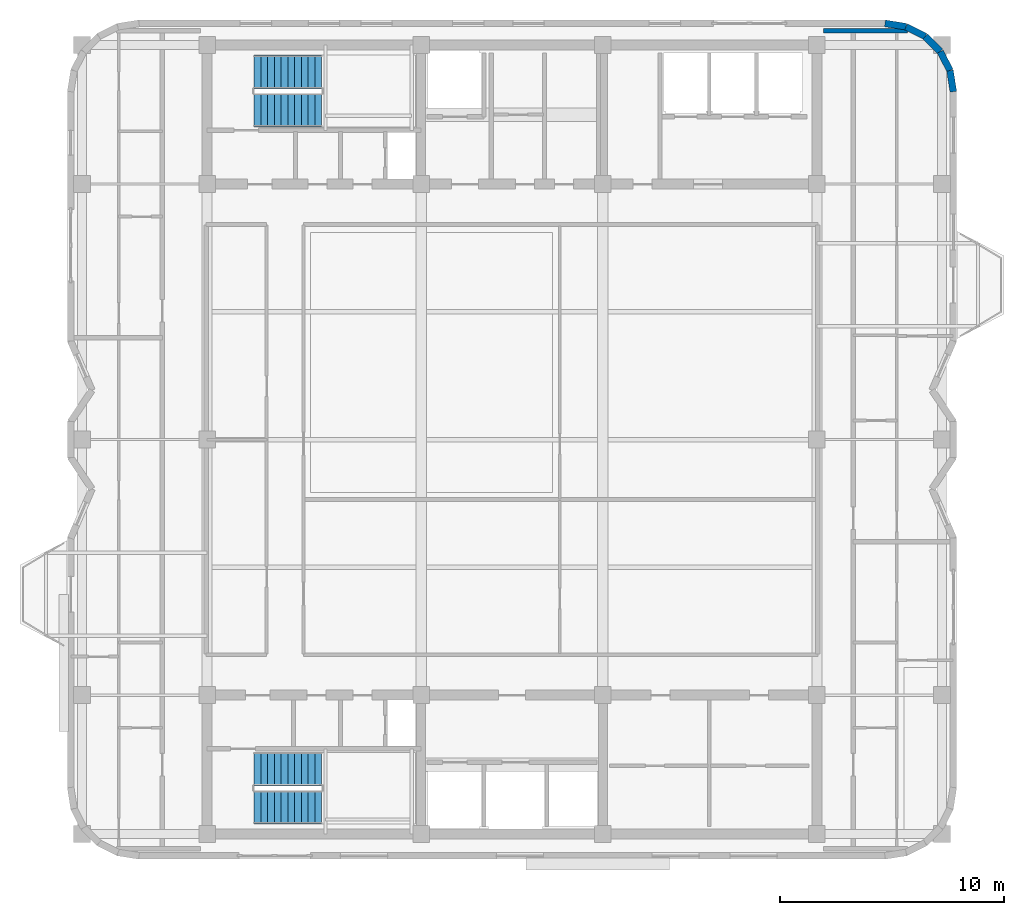
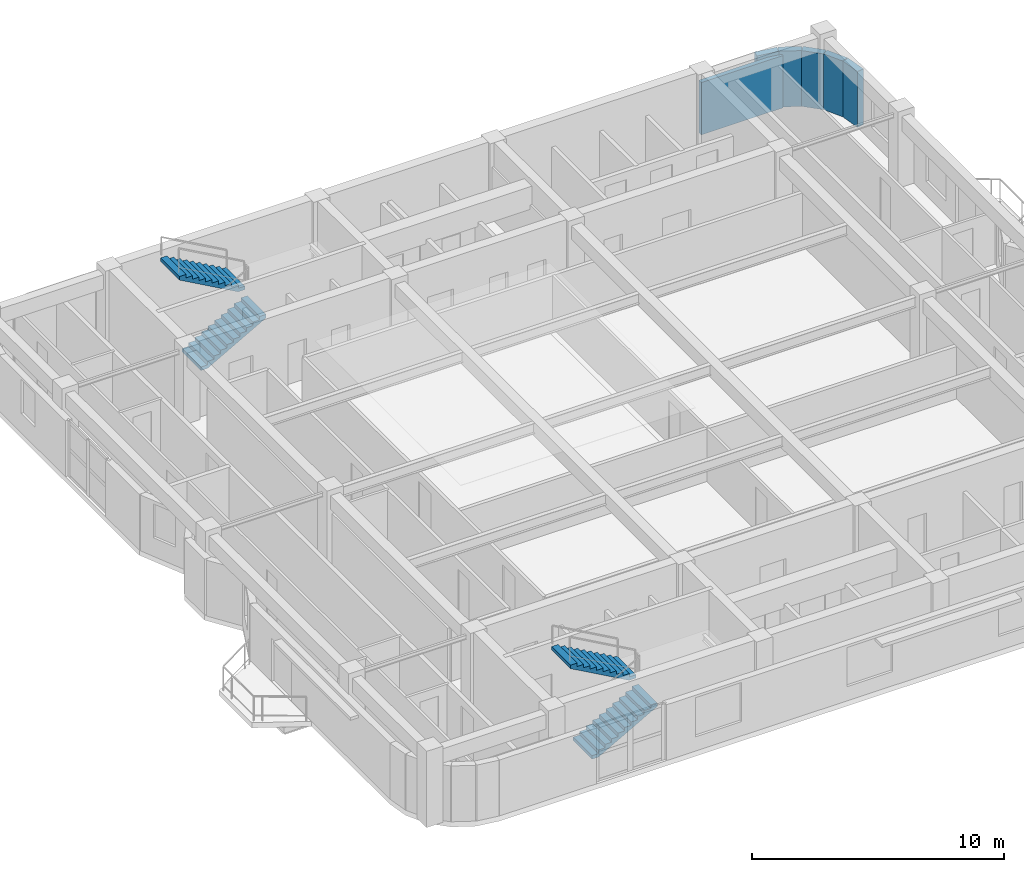
# One storey, part 9 of 11: 6 walls, 4 stair flights, 2 elements without a shape of their own.
"""IFC4 building model written with IfcOpenShell, lengths in metres."""

import ifcopenshell
import ifcopenshell.guid

model = None  # the IFC model being written
_history = None  # IfcOwnerHistory: only IFC2X3 demands one
_inside = {}  # id of a spatial element -> (the spatial element, [elements in it])
_under = {}  # id of a project, library or spatial element -> (it, [spatial elements below it])
_declared = {}  # id of a project -> (the project, [libraries it declares])
_typed = {}  # id of a type object -> (the type object, [elements of that type])
_made_of = {}  # id of a material, layer set ... -> (it, [elements and type objects made of it])


def new_model(schema):
    """Start an empty IFC model of exactly this schema.

    Asked for "IFC4X3", IfcOpenShell would pick the latest addendum, in which some entities
    have other attributes; the version numbers below select the first issue.
    IFC2X3 requires an IfcOwnerHistory on every rooted entity: one is made here for all.
    """
    global model, _history
    if schema == "IFC4X3":
        model = ifcopenshell.file(schema_version=(4, 3, 0, 0))
    else:
        model = ifcopenshell.file(schema=schema)
    _inside.clear()
    _under.clear()
    _declared.clear()
    _typed.clear()
    _made_of.clear()
    _history = None
    if model.schema == "IFC2X3":
        org = make("IfcOrganization", Name="unknown")
        user = make(
            "IfcPersonAndOrganization",
            ThePerson=make("IfcPerson", FamilyName="unknown"),
            TheOrganization=org,
        )
        app = make(
            "IfcApplication",
            ApplicationDeveloper=org,
            Version="unknown",
            ApplicationFullName="unknown",
            ApplicationIdentifier="unknown",
        )
        _history = make(
            "IfcOwnerHistory",
            OwningUser=user,
            OwningApplication=app,
            ChangeAction="ADDED",
            CreationDate=0,
        )
    return model


def make(cls, **values):
    """One entity of the class cls with the attributes given. An attribute that is None is left unset."""
    return model.create_entity(
        cls, **{name: value for name, value in values.items() if value is not None}
    )


def rooted(cls, **values):
    """An entity with a GlobalId (a new one), such as an element, a storey or a relation."""
    return make(cls, GlobalId=ifcopenshell.guid.new(), OwnerHistory=_history, **values)


def si_unit(unit_type, name, prefix=None):
    """IfcSIUnit, for example si_unit("LENGTHUNIT", "METRE", prefix="MILLI")."""
    return make("IfcSIUnit", UnitType=unit_type, Prefix=prefix, Name=name)


def assignment(units):
    """IfcUnitAssignment: the units of a project."""
    return None if units is None else make("IfcUnitAssignment", Units=units)


def point(xyz):
    """IfcCartesianPoint."""
    return None if xyz is None else make("IfcCartesianPoint", Coordinates=xyz)


def direction(xyz):
    """IfcDirection."""
    return None if xyz is None else make("IfcDirection", DirectionRatios=xyz)


def frame(location, z_axis=None, x_axis=None):
    """IfcAxis2Placement3D, a coordinate frame: its origin and axes. An axis left out is left unset."""
    return make(
        "IfcAxis2Placement3D",
        Location=point(location),
        Axis=direction(z_axis),
        RefDirection=direction(x_axis),
    )


def frame_2d(location, x_axis=None):
    """IfcAxis2Placement2D, a coordinate frame in the plane: its origin and x axis."""
    return make(
        "IfcAxis2Placement2D", Location=point(location), RefDirection=direction(x_axis)
    )


def origin():
    """The frame at (0, 0, 0) with its axes left unset."""
    return frame((0.0, 0.0, 0.0))


def place(relative_to, where):
    """IfcLocalPlacement: puts the frame where relative to a parent placement (None: the world)."""
    return make(
        "IfcLocalPlacement", PlacementRelTo=relative_to, RelativePlacement=where
    )


def context(
    kind, dimensions, precision=None, world=None, true_north=None, identifier=None
):
    """IfcGeometricRepresentationContext, for example the 3D "Model" context."""
    return make(
        "IfcGeometricRepresentationContext",
        ContextIdentifier=identifier,
        ContextType=kind,
        CoordinateSpaceDimension=dimensions,
        Precision=precision,
        WorldCoordinateSystem=world,
        TrueNorth=true_north,
    )


def subcontext(parent, identifier, kind, view, scale=None):
    """IfcGeometricRepresentationSubContext, for example "Body" below "Model"."""
    return make(
        "IfcGeometricRepresentationSubContext",
        ContextIdentifier=identifier,
        ContextType=kind,
        ParentContext=parent,
        TargetScale=scale,
        TargetView=view,
    )


def project(units=None, contexts=None):
    """IfcProject with its units and contexts."""
    return rooted(
        "IfcProject",
        Name="project",
        RepresentationContexts=contexts,
        UnitsInContext=assignment(units),
    )


def spatial(cls, under=None, at=None, **own):
    """A site, building, storey or space (cls), placed at a placement, below another one or the project."""
    s = rooted(cls, ObjectPlacement=at, **own)
    if under is not None:
        _under.setdefault(under.id(), (under, []))[1].append(s)
    return s


def polyline(points):
    """IfcPolyline through the points."""
    return make("IfcPolyline", Points=[point(p) for p in points])


def profile(cls, at=None, kind="AREA", **sizes):
    """A parametric profile (cls). Its sizes go by their IFC names, for example OverallWidth=200.0."""
    return make(cls, ProfileType=kind, Position=at, **sizes)


def rectangle(**sizes):
    """IfcRectangleProfileDef."""
    return profile("IfcRectangleProfileDef", **sizes)


def outline(outer, holes=None, kind="AREA"):
    """IfcArbitraryClosedProfileDef: a profile drawn as a closed curve; with holes, ...WithVoids."""
    if holes is None:
        return make("IfcArbitraryClosedProfileDef", ProfileType=kind, OuterCurve=outer)
    return make(
        "IfcArbitraryProfileDefWithVoids",
        ProfileType=kind,
        OuterCurve=outer,
        InnerCurves=holes,
    )


def extrude(swept, where, along, depth):
    """IfcExtrudedAreaSolid: the profile swept, set in the frame where, extruded along a direction by depth."""
    return make(
        "IfcExtrudedAreaSolid",
        SweptArea=swept,
        Position=where,
        ExtrudedDirection=direction(along),
        Depth=depth,
    )


def shape(context_of_items, identifier, shape_type, items):
    """IfcShapeRepresentation: the items that make up one representation, for example the "Body"."""
    return make(
        "IfcShapeRepresentation",
        ContextOfItems=context_of_items,
        RepresentationIdentifier=identifier,
        RepresentationType=shape_type,
        Items=items,
    )


def material(Name=None, Category=None):
    """IfcMaterial."""
    return make("IfcMaterial", Name=Name, Category=Category)


def layer(
    of_material, thickness, ventilated=None, Name=None, Category=None, Priority=None
):
    """IfcMaterialLayer: one layer of a wall or slab, of a material (None: an air gap)."""
    return make(
        "IfcMaterialLayer",
        Material=of_material,
        LayerThickness=thickness,
        IsVentilated=ventilated,
        Name=Name,
        Category=Category,
        Priority=Priority,
    )


def layer_set(layers, Name=None):
    """IfcMaterialLayerSet."""
    return make("IfcMaterialLayerSet", MaterialLayers=layers, LayerSetName=Name)


def made_of(thing, what):
    """Note that an element or type object is made of a material, layer set ...; save() writes the relation."""
    if what is not None:
        _made_of.setdefault(what.id(), (what, []))[1].append(thing)
    return thing


def type_object(cls, material=None, **own):
    """A type object (cls), such as IfcWallType, which elements share."""
    return made_of(rooted(cls, **own), material)


def element(
    cls,
    number,
    at=None,
    inside=None,
    cuts=None,
    type_object=None,
    material=None,
    context=None,
    identifier="Body",
    shape_type=None,
    held_by="IfcProductDefinitionShape",
    body=None,
    shapes=None,
    **own,
):
    """One element of the class cls, such as IfcWall. Its Tag is "e" and its number.

    at: its placement. inside: the storey or other place that contains it. cuts: it is an
    opening in that element (IfcRelVoidsElement). A single representation is given by context,
    identifier, shape_type and body (its items); several are given by shapes. held_by: the class
    of the entity that holds the representations. save() writes the other relations.
    """
    e = rooted(cls, Tag="e%d" % number, ObjectPlacement=at, **own)
    if body is not None:
        shapes = [shape(context, identifier, shape_type, body)]
    if shapes is not None:
        e.Representation = make(held_by, Representations=shapes)
    if inside is not None:
        _inside.setdefault(inside.id(), (inside, []))[1].append(e)
    if cuts is not None:
        rooted(
            "IfcRelVoidsElement", RelatingBuildingElement=cuts, RelatedOpeningElement=e
        )
    if type_object is not None:
        _typed.setdefault(type_object.id(), (type_object, []))[1].append(e)
    return made_of(e, material)


def aggregate(whole, parts):
    """IfcRelAggregates: a whole, such as a stair, and the parts it consists of."""
    return rooted("IfcRelAggregates", RelatingObject=whole, RelatedObjects=parts)


def save(model, path):
    """Write the relations noted so far, then the file.

    IfcRelAggregates (storeys below a building ...), IfcRelContainedInSpatialStructure (elements
    in a storey), IfcRelDefinesByType, IfcRelAssociatesMaterial and IfcRelDeclares: one each for
    every whole, place, type object, material and project.
    """
    for whole, parts in _under.values():
        aggregate(whole, parts)
    for where, things in _inside.values():
        rooted(
            "IfcRelContainedInSpatialStructure",
            RelatedElements=things,
            RelatingStructure=where,
        )
    for kind, things in _typed.values():
        rooted("IfcRelDefinesByType", RelatedObjects=things, RelatingType=kind)
    for what, things in _made_of.values():
        rooted("IfcRelAssociatesMaterial", RelatedObjects=things, RelatingMaterial=what)
    for by, libraries in _declared.values():
        rooted("IfcRelDeclares", RelatingContext=by, RelatedDefinitions=libraries)
    model.write(path)


model = new_model("IFC4")

# Units and contexts
model_context = context("Model", 3, precision=1e-05, world=origin(), true_north=direction((0.0, 1.0)))
body_context = subcontext(model_context, "Body", "Model", "MODEL_VIEW")
ifc_project = project(units=[si_unit("LENGTHUNIT", "METRE"), si_unit("AREAUNIT", "SQUARE_METRE"), si_unit("VOLUMEUNIT", "CUBIC_METRE"), si_unit("PLANEANGLEUNIT", "RADIAN"), si_unit("MASSUNIT", "GRAM", prefix="KILO")], contexts=[model_context])

# Site, building, storey
site_placement = place(None, origin())
site = spatial("IfcSite", under=ifc_project, at=site_placement, CompositionType="ELEMENT")
building_placement = place(site_placement, origin())
building = spatial("IfcBuilding", under=site, at=building_placement, Name="Svetorya Sky Lyceum", CompositionType="ELEMENT")
storey_placement = place(building_placement, frame((0.0, 0.0, 293.5)))
storey = spatial("IfcBuildingStorey", under=building, at=storey_placement, Name="L74", CompositionType="ELEMENT", Elevation=293.5)

# Walls
ifc_material_1 = material(Name="Putilovo limestone rainscreen on autoclaved cellular masonry", Category="masonry")
ifc_layer_1 = layer(ifc_material_1, 0.300048828125)
ifc_layer_set_1 = layer_set([ifc_layer_1], Name="Putilovo limestone rainscreen on autoclaved cellular masonry")
wall_type_1 = type_object("IfcWallType", Name="WL-EXT-300", PredefinedType="SOLIDWALL", material=ifc_layer_set_1)
wall_1_placement = place(storey_placement, frame((58.889892578125, 43.719970703125, 0.0), z_axis=(0.0, 0.0, 1.0), x_axis=(-0.156304114255, 0.987708977314, 0.0)))
element("IfcWall", 1, at=wall_1_placement, inside=storey, type_object=wall_type_1, Name="L74 Limestone Exterior Wall 19M", PredefinedType="SOLIDWALL", context=body_context, shape_type="SweptSolid", body=[
    extrude(rectangle(XDim=0.954345703125, YDim=0.300048828125, at=frame_2d((0.47705078125, 0.0))), origin(), (0.0, 0.0, 1.0), 2.7099609375),
])
wall_2_placement = place(storey_placement, frame((58.74072265625, 44.66259765625, 0.0), z_axis=(0.0, 0.0, 1.0), x_axis=(-0.45395644796, 0.891023873617, 0.0)))
element("IfcWall", 2, at=wall_2_placement, inside=storey, type_object=wall_type_1, Name="L74 Limestone Exterior Wall 20M", PredefinedType="SOLIDWALL", context=body_context, shape_type="SweptSolid", body=[
    extrude(rectangle(XDim=0.9541015625, YDim=0.300048828125, at=frame_2d((0.47705078125, 0.0))), origin(), (0.0, 0.0, 1.0), 2.7099609375),
])
for number, where, z_axis, x_axis, name in (
    (3, (58.3076171875, 45.5126953125, 0.0), (0.0, 0.0, 1.0), (-0.707106781187, 0.707106781187, 0.0), "L74 Limestone Exterior Wall 21M"),
    (4, (57.6328125, 46.1875, 0.0), (0.0, 0.0, 1.0), (-0.891076589373, 0.453852962833, 0.0), "L74 Limestone Exterior Wall 22M"),
):
    element("IfcWall", number, at=place(storey_placement, frame(where, z_axis=z_axis, x_axis=x_axis)), inside=storey, type_object=wall_type_1, Name=name, PredefinedType="SOLIDWALL", context=body_context, shape_type="SweptSolid", body=[
        extrude(rectangle(XDim=0.954345703125, YDim=0.300048828125, at=frame_2d((0.47705078125, 0.0))), origin(), (0.0, 0.0, 1.0), 2.7099609375),
    ])
wall_3_placement = place(storey_placement, frame((56.782470703125, 46.62060546875, 0.0), z_axis=(0.0, 0.0, 1.0), x_axis=(-0.987663181641, 0.156593229835, 0.0)))
element("IfcWall", 5, at=wall_3_placement, inside=storey, type_object=wall_type_1, Name="L74 Limestone Exterior Wall 23M", PredefinedType="SOLIDWALL", context=body_context, shape_type="SweptSolid", body=[
    extrude(rectangle(XDim=0.9541015625, YDim=0.300048828125, at=frame_2d((0.47705078125, 0.0))), origin(), (0.0, 0.0, 1.0), 2.7099609375),
])
ifc_material_2 = material(Name="Autoclaved cellular masonry blockwork with gypsum plaster", Category="masonry")
ifc_layer_2 = layer(ifc_material_2, 0.199951171875)
ifc_layer_set_2 = layer_set([ifc_layer_2], Name="Autoclaved cellular masonry blockwork with gypsum plaster")
wall_type_2 = type_object("IfcWallType", Name="WL-PART-200", PredefinedType="PARTITIONING", material=ifc_layer_set_2)
wall_4_placement = place(storey_placement, frame((53.10009765625, 46.449951171875, 0.0), z_axis=(0.0, 0.0, 1.0), x_axis=(1.0, 0.0, 0.0)))
element("IfcWall", 6, at=wall_4_placement, inside=storey, type_object=wall_type_2, Name="L74 Interior Partition E-CAP-N", PredefinedType="PARTITIONING", context=body_context, shape_type="SweptSolid", body=[
    extrude(rectangle(XDim=3.75390625, YDim=0.199951171875, at=frame_2d((1.876953125, 0.0))), origin(), (0.0, 0.0, 1.0), 2.5400390625),
])

# Stair, stair flights
ifc_material_3 = material(Name="Concrete C40/50", Category="concrete")
stair_type_1 = type_object("IfcStairType", Name="STR-ST-N", PredefinedType="HALF_TURN_STAIR", material=ifc_material_3)
stair_1_placement = place(storey_placement, origin())
stair_1 = element("IfcStair", 7, at=stair_1_placement, inside=storey, type_object=stair_type_1, Name="L74 North Core Smoke-Free Exit Stair N3", PredefinedType="HALF_TURN_STAIR")
stair_flight_type_1 = type_object("IfcStairFlightType", Name="SFL-ST-N", PredefinedType="STRAIGHT", material=ifc_material_3)
stair_flight_1_placement = place(storey_placement, frame((27.699951171875, 42.89990234375, 0.0), z_axis=(0.0, 0.0, 1.0), x_axis=(1.0, 0.0, 0.0)))
stair_flight_1 = element("IfcStairFlight", 8, at=stair_flight_1_placement, type_object=stair_flight_type_1, Name="ST-N flight 1", NumberOfRisers=11, NumberOfTreads=10, PredefinedType="STRAIGHT", RiserHeight=0.168181818, TreadLength=0.3, context=body_context, shape_type="SweptSolid", body=[
    extrude(outline(polyline([(0.0, 0.0), (0.0, 0.168212890625), (0.300048828125, 0.168212890625), (0.300048828125, 0.33642578125), (0.60009765625, 0.33642578125), (0.60009765625, 0.504638671875), (0.89990234375, 0.504638671875), (0.89990234375, 0.672607421875), (1.199951171875, 0.672607421875), (1.199951171875, 0.8408203125), (1.5, 0.8408203125), (1.5, 1.009033203125), (1.800048828125, 1.009033203125), (1.800048828125, 1.17724609375), (2.10009765625, 1.17724609375), (2.10009765625, 1.345458984375), (2.39990234375, 1.345458984375), (2.39990234375, 1.513671875), (2.699951171875, 1.513671875), (2.699951171875, 1.681884765625), (3.0, 1.681884765625), (3.0, 1.85009765625), (3.0, 1.510009765625), (0.306640625, 0.0), (0.0, 0.0)])), frame((0.0, 0.75, 0.0), z_axis=(0.0, -1.0, 0.0), x_axis=(1.0, 0.0, 0.0)), (0.0, 0.0, 1.0), 1.5),
])
stair_flight_2_placement = place(storey_placement, frame((30.699951171875, 44.60009765625, 1.85009765625), z_axis=(0.0, 0.0, 1.0), x_axis=(-1.0, 0.0, 0.0)))
stair_flight_2 = element("IfcStairFlight", 9, at=stair_flight_2_placement, type_object=stair_flight_type_1, Name="ST-N flight 2", NumberOfRisers=11, NumberOfTreads=10, PredefinedType="STRAIGHT", RiserHeight=0.168181818, TreadLength=0.3, context=body_context, shape_type="SweptSolid", body=[
    extrude(outline(polyline([(0.0, 0.0), (0.0, 0.168212890625), (0.300048828125, 0.168212890625), (0.300048828125, 0.33642578125), (0.60009765625, 0.33642578125), (0.60009765625, 0.504638671875), (0.89990234375, 0.504638671875), (0.89990234375, 0.672607421875), (1.199951171875, 0.672607421875), (1.199951171875, 0.8408203125), (1.5, 0.8408203125), (1.5, 1.009033203125), (1.800048828125, 1.009033203125), (1.800048828125, 1.17724609375), (2.10009765625, 1.17724609375), (2.10009765625, 1.345458984375), (2.39990234375, 1.345458984375), (2.39990234375, 1.513671875), (2.699951171875, 1.513671875), (2.699951171875, 1.681884765625), (3.0, 1.681884765625), (3.0, 1.85009765625), (3.0, 1.510009765625), (0.306640625, 0.0), (0.0, 0.0)])), frame((0.0, 0.75, 0.0), z_axis=(0.0, -1.0, 0.0), x_axis=(1.0, 0.0, 0.0)), (0.0, 0.0, 1.0), 1.5),
])
aggregate(stair_1, [stair_flight_1, stair_flight_2])

stair_type_2 = type_object("IfcStairType", Name="STR-ST-S", PredefinedType="HALF_TURN_STAIR", material=ifc_material_3)
stair_2_placement = place(storey_placement, origin())
stair_2 = element("IfcStair", 10, at=stair_2_placement, inside=storey, type_object=stair_type_2, Name="L74 South Core Smoke-Free Exit Stair N2", PredefinedType="HALF_TURN_STAIR")
stair_flight_type_2 = type_object("IfcStairFlightType", Name="SFL-ST-S", PredefinedType="STRAIGHT", material=ifc_material_3)
stair_flight_3_placement = place(storey_placement, frame((27.699951171875, 11.800048828125, 0.0), z_axis=(0.0, 0.0, 1.0), x_axis=(1.0, 0.0, 0.0)))
stair_flight_3 = element("IfcStairFlight", 11, at=stair_flight_3_placement, type_object=stair_flight_type_2, Name="ST-S flight 1", NumberOfRisers=11, NumberOfTreads=10, PredefinedType="STRAIGHT", RiserHeight=0.168181818, TreadLength=0.3, context=body_context, shape_type="SweptSolid", body=[
    extrude(outline(polyline([(0.0, 0.0), (0.0, 0.168212890625), (0.300048828125, 0.168212890625), (0.300048828125, 0.33642578125), (0.60009765625, 0.33642578125), (0.60009765625, 0.504638671875), (0.89990234375, 0.504638671875), (0.89990234375, 0.672607421875), (1.199951171875, 0.672607421875), (1.199951171875, 0.8408203125), (1.5, 0.8408203125), (1.5, 1.009033203125), (1.800048828125, 1.009033203125), (1.800048828125, 1.17724609375), (2.10009765625, 1.17724609375), (2.10009765625, 1.345458984375), (2.39990234375, 1.345458984375), (2.39990234375, 1.513671875), (2.699951171875, 1.513671875), (2.699951171875, 1.681884765625), (3.0, 1.681884765625), (3.0, 1.85009765625), (3.0, 1.510009765625), (0.306640625, 0.0), (0.0, 0.0)])), frame((0.0, 0.75, 0.0), z_axis=(0.0, -1.0, 0.0), x_axis=(1.0, 0.0, 0.0)), (0.0, 0.0, 1.0), 1.5),
])
stair_flight_4_placement = place(storey_placement, frame((30.699951171875, 13.5, 1.85009765625), z_axis=(0.0, 0.0, 1.0), x_axis=(-1.0, 0.0, 0.0)))
stair_flight_4 = element("IfcStairFlight", 12, at=stair_flight_4_placement, type_object=stair_flight_type_2, Name="ST-S flight 2", NumberOfRisers=11, NumberOfTreads=10, PredefinedType="STRAIGHT", RiserHeight=0.168181818, TreadLength=0.3, context=body_context, shape_type="SweptSolid", body=[
    extrude(outline(polyline([(0.0, 0.0), (0.0, 0.168212890625), (0.300048828125, 0.168212890625), (0.300048828125, 0.33642578125), (0.60009765625, 0.33642578125), (0.60009765625, 0.504638671875), (0.89990234375, 0.504638671875), (0.89990234375, 0.672607421875), (1.199951171875, 0.672607421875), (1.199951171875, 0.8408203125), (1.5, 0.8408203125), (1.5, 1.009033203125), (1.800048828125, 1.009033203125), (1.800048828125, 1.17724609375), (2.10009765625, 1.17724609375), (2.10009765625, 1.345458984375), (2.39990234375, 1.345458984375), (2.39990234375, 1.513671875), (2.699951171875, 1.513671875), (2.699951171875, 1.681884765625), (3.0, 1.681884765625), (3.0, 1.85009765625), (3.0, 1.510009765625), (0.306640625, 0.0), (0.0, 0.0)])), frame((0.0, 0.75, 0.0), z_axis=(0.0, -1.0, 0.0), x_axis=(1.0, 0.0, 0.0)), (0.0, 0.0, 1.0), 1.5),
])
aggregate(stair_2, [stair_flight_3, stair_flight_4])

save(model, "model.ifc")
